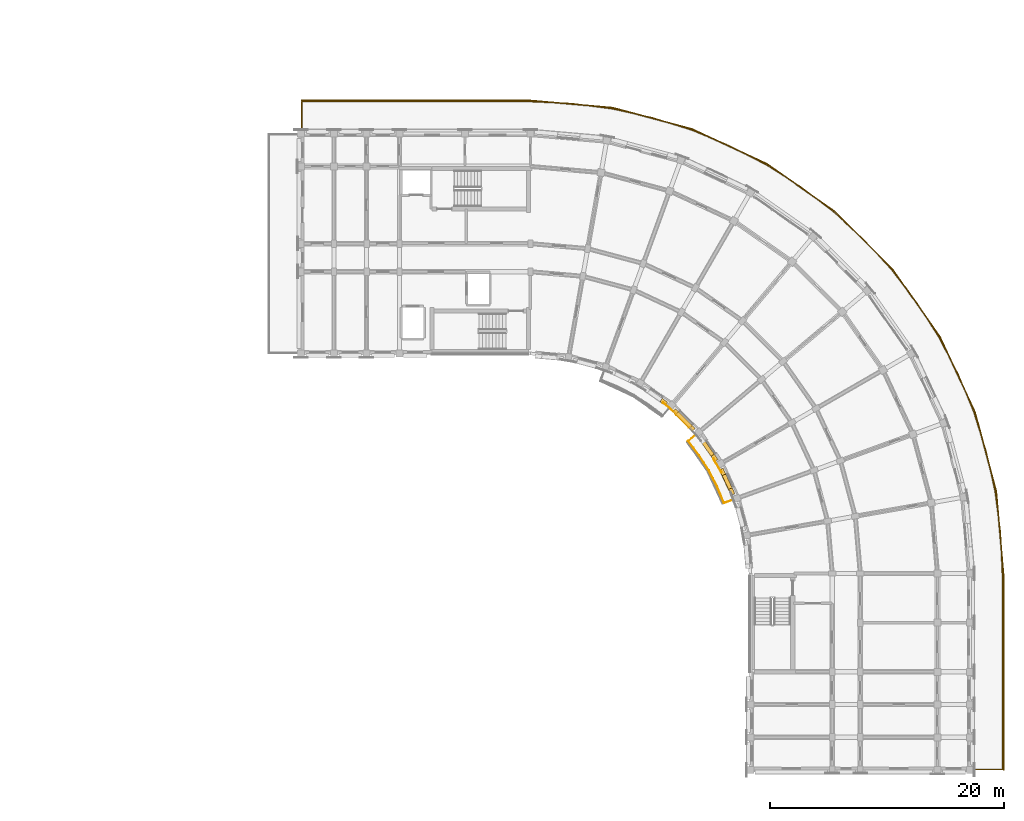
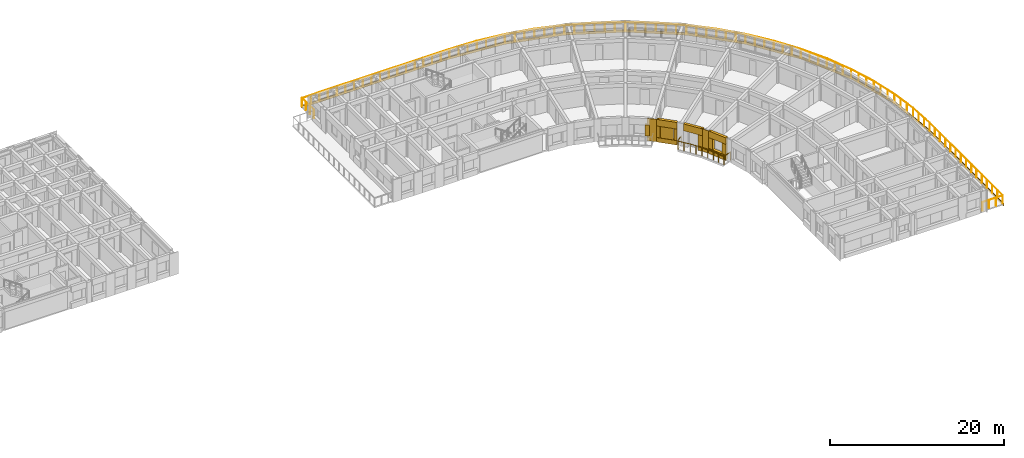
# One storey, part 35 of 36: 14 coverings, 2 railings, 1 shading device.
"""IFC4 building model written with IfcOpenShell, lengths in metres."""

from ifc_helpers import new_model, si_unit, direction, frame, origin, origin_2d, place, context, subcontext, project, spatial, polyline, rectangle, circle, outline, extrude, material, layer, layer_set, type_object, element, save


model = new_model("IFC4")

# Units and contexts
model_context = context("Model", 3, precision=1e-05, world=origin(), true_north=direction((0.0, 1.0)))
body_context = subcontext(model_context, "Body", "Model", "MODEL_VIEW")
ifc_project = project(units=[si_unit("LENGTHUNIT", "METRE"), si_unit("AREAUNIT", "SQUARE_METRE"), si_unit("VOLUMEUNIT", "CUBIC_METRE"), si_unit("PLANEANGLEUNIT", "RADIAN"), si_unit("MASSUNIT", "GRAM", prefix="KILO")], contexts=[model_context])

# Site, building, storey
site_placement = place(None, origin())
site = spatial("IfcSite", under=ifc_project, at=site_placement, CompositionType="ELEMENT")
building_placement = place(site_placement, origin())
building = spatial("IfcBuilding", under=site, at=building_placement, Name="Kiranvali Square Residences", CompositionType="ELEMENT")
storey_placement = place(building_placement, frame((0.0, 0.0, 37.050048828125)))
storey = spatial("IfcBuildingStorey", under=building, at=storey_placement, Name="L11", CompositionType="ELEMENT", Elevation=37.050048828125)

# Coverings
ifc_material_1 = material(Name="Carved Porbandar limestone classical entablature and cornice", Category="masonry")
ifc_layer_1 = layer(ifc_material_1, 0.449951171875)
ifc_layer_set_1 = layer_set([ifc_layer_1], Name="Carved Porbandar limestone classical entablature and cornice")
covering_type_1 = type_object("IfcCoveringType", Name="COV-CLAD-CORN", PredefinedType="CLADDING", material=ifc_layer_set_1)
covering_1_placement = place(storey_placement, frame((0.0, 0.0, -0.280029296875)))
element("IfcCovering", 1, at=covering_1_placement, inside=storey, type_object=covering_type_1, Name="Block B L11 stepped curved terrace stone cornice band", PredefinedType="CLADDING", context=body_context, shape_type="SweptSolid", body=[
    extrude(outline(polyline([(100.199951171875, 128.201904296875), (119.800048828125, 128.201904296875), (126.815673828125, 127.588134765625), (133.618408203125, 125.765380859375), (140.0009765625, 122.7890625), (145.77001953125, 118.749755859375), (150.749755859375, 113.77001953125), (154.7890625, 108.0009765625), (157.765380859375, 101.618408203125), (159.588134765625, 94.815673828125), (160.201904296875, 87.800048828125), (160.201904296875, 71.0), (160.284912109375, 71.0), (160.284912109375, 87.800048828125), (159.669921875, 94.830078125), (157.843505859375, 101.646728515625), (154.861083984375, 108.04248046875), (150.813232421875, 113.8232421875), (145.8232421875, 118.813232421875), (140.04248046875, 122.861083984375), (133.646728515625, 125.843505859375), (126.830078125, 127.669921875), (119.800048828125, 128.284912109375), (100.199951171875, 128.284912109375), (100.199951171875, 128.201904296875)])), origin(), (0.0, 0.0, 1.0), 0.35986328125),
])
ifc_material_2 = material(Name="Honed Porbandar limestone ashlar facade cladding", Category="masonry")
ifc_layer_2 = layer(ifc_material_2, 0.3798828125)
ifc_layer_set_2 = layer_set([ifc_layer_2], Name="Honed Porbandar limestone ashlar facade cladding")
covering_type_2 = type_object("IfcCoveringType", Name="COV-CLAD-JAMB", PredefinedType="CLADDING", material=ifc_layer_set_2)
covering_2_placement = place(storey_placement, frame((0.0, 0.0, 0.721923828125)))
element("IfcCovering", 2, at=covering_2_placement, inside=storey, type_object=covering_type_2, Name="L11 deep limestone window jamb reveal B-L11-GDN-03.R", PredefinedType="CLADDING", context=body_context, shape_type="SweptSolid", body=[
    extrude(outline(polyline([(130.879638671875, 102.490234375), (131.328857421875, 102.175537109375), (131.523681640625, 102.45361328125), (131.074462890625, 102.768310546875), (130.879638671875, 102.490234375)])), origin(), (0.0, 0.0, 1.0), 1.5),
])
covering_3_placement = place(storey_placement, frame((0.0, 0.0, 0.6220703125)))
element("IfcCovering", 3, at=covering_3_placement, inside=storey, type_object=covering_type_2, Name="L11 deep limestone window jamb reveal B-L11-GDN-04.L", PredefinedType="CLADDING", context=body_context, shape_type="SweptSolid", body=[
    extrude(outline(polyline([(131.955078125, 101.650146484375), (132.21923828125, 101.385986328125), (132.459228515625, 101.6259765625), (132.195068359375, 101.89013671875), (131.955078125, 101.650146484375)])), origin(), (0.0, 0.0, 1.0), 1.599853515625),
])
covering_4_placement = place(storey_placement, frame((0.0, 0.0, 0.6220703125)))
element("IfcCovering", 4, at=covering_4_placement, inside=storey, type_object=covering_type_2, Name="L11 deep limestone window jamb reveal B-L11-GDN-04.R", PredefinedType="CLADDING", context=body_context, shape_type="SweptSolid", body=[
    extrude(outline(polyline([(133.385986328125, 100.21923828125), (133.650146484375, 99.955078125), (133.89013671875, 100.195068359375), (133.6259765625, 100.459228515625), (133.385986328125, 100.21923828125)])), origin(), (0.0, 0.0, 1.0), 1.599853515625),
])
covering_5_placement = place(storey_placement, origin())
element("IfcCovering", 5, at=covering_5_placement, inside=storey, type_object=covering_type_2, Name="L11 deep limestone window jamb reveal B-L11-GDN-05.R", PredefinedType="CLADDING", context=body_context, shape_type="SweptSolid", body=[
    extrude(outline(polyline([(135.23583984375, 97.814697265625), (135.55029296875, 97.365478515625), (135.828369140625, 97.56005859375), (135.513916015625, 98.009521484375), (135.23583984375, 97.814697265625)])), origin(), (0.0, 0.0, 1.0), 2.179931640625),
])
covering_6_placement = place(storey_placement, frame((0.0, 0.0, 0.721923828125)))
element("IfcCovering", 6, at=covering_6_placement, inside=storey, type_object=covering_type_2, Name="L11 deep limestone window jamb reveal B-L11-GDN-06.L", PredefinedType="CLADDING", context=body_context, shape_type="SweptSolid", body=[
    extrude(outline(polyline([(135.958984375, 96.657470703125), (136.19091796875, 96.160400390625), (136.49853515625, 96.303955078125), (136.266845703125, 96.801025390625), (135.958984375, 96.657470703125)])), origin(), (0.0, 0.0, 1.0), 1.5),
])
covering_7_placement = place(storey_placement, frame((0.0, 0.0, 0.721923828125)))
element("IfcCovering", 7, at=covering_7_placement, inside=storey, type_object=covering_type_2, Name="L11 deep limestone window jamb reveal B-L11-GDN-06.R", PredefinedType="CLADDING", context=body_context, shape_type="SweptSolid", body=[
    extrude(outline(polyline([(136.740234375, 94.982177734375), (136.97216796875, 94.485107421875), (137.27978515625, 94.62841796875), (137.048095703125, 95.125732421875), (136.740234375, 94.982177734375)])), origin(), (0.0, 0.0, 1.0), 1.5),
])
ifc_layer_3 = layer(ifc_material_2, 0.050048828125)
ifc_layer_set_3 = layer_set([ifc_layer_3], Name="Honed Porbandar limestone ashlar facade cladding")
covering_type_3 = type_object("IfcCoveringType", Name="COV-CLAD-PIER-IN", PredefinedType="CLADDING", material=ifc_layer_set_3)
covering_8_placement = place(storey_placement, frame((0.0, 0.0, 0.0048828125)))
element("IfcCovering", 8, at=covering_8_placement, inside=storey, type_object=covering_type_3, Name="L11 Classical garden courtyard pilaster CLAD-PRIN-B-L11-A04", PredefinedType="CLADDING", context=body_context, shape_type="SweptSolid", body=[
    extrude(outline(polyline([(131.111572265625, 102.36962890625), (132.18408203125, 101.4697265625), (132.2275390625, 101.521484375), (131.155029296875, 102.42138671875), (131.111572265625, 102.36962890625)])), origin(), (0.0, 0.0, 1.0), 3.14013671875),
])
covering_9_placement = place(storey_placement, frame((0.0, 0.0, 0.0048828125)))
element("IfcCovering", 9, at=covering_9_placement, inside=storey, type_object=covering_type_3, Name="L11 Classical garden courtyard pilaster CLAD-PRIN-B-L11-A06", PredefinedType="CLADDING", context=body_context, shape_type="SweptSolid", body=[
    extrude(outline(polyline([(135.41259765625, 97.622314453125), (136.112548828125, 96.40966796875), (136.171142578125, 96.443603515625), (135.470947265625, 97.656005859375), (135.41259765625, 97.622314453125)])), origin(), (0.0, 0.0, 1.0), 3.14013671875),
])
ifc_layer_4 = layer(ifc_material_2, 0.360107421875)
ifc_layer_set_4 = layer_set([ifc_layer_4], Name="Honed Porbandar limestone ashlar facade cladding")
covering_type_4 = type_object("IfcCoveringType", Name="COV-CLAD-WALL", PredefinedType="CLADDING", material=ifc_layer_set_4)
covering_10_placement = place(storey_placement, frame((0.0, 0.0, 2.221923828125)))
element("IfcCovering", 10, at=covering_10_placement, inside=storey, type_object=covering_type_4, Name="L11 light limestone spandrel lintel B-L11-GDN-04", PredefinedType="CLADDING", context=body_context, shape_type="SweptSolid", body=[
    extrude(outline(polyline([(131.955078125, 101.650146484375), (133.650146484375, 99.955078125), (133.89013671875, 100.195068359375), (132.195068359375, 101.89013671875), (131.955078125, 101.650146484375)])), origin(), (0.0, 0.0, 1.0), 0.923095703125),
])
covering_11_placement = place(storey_placement, frame((0.0, 0.0, 2.179931640625)))
element("IfcCovering", 11, at=covering_11_placement, inside=storey, type_object=covering_type_4, Name="L11 light limestone spandrel lintel B-L11-GDN-05", PredefinedType="CLADDING", context=body_context, shape_type="SweptSolid", body=[
    extrude(outline(polyline([(134.175537109375, 99.328857421875), (135.55029296875, 97.365478515625), (135.828369140625, 97.56005859375), (134.45361328125, 99.523681640625), (134.175537109375, 99.328857421875)])), origin(), (0.0, 0.0, 1.0), 0.965087890625),
])
covering_12_placement = place(storey_placement, frame((0.0, 0.0, 2.221923828125)))
element("IfcCovering", 12, at=covering_12_placement, inside=storey, type_object=covering_type_4, Name="L11 light limestone spandrel lintel B-L11-GDN-06", PredefinedType="CLADDING", context=body_context, shape_type="SweptSolid", body=[
    extrude(outline(polyline([(135.958984375, 96.657470703125), (136.97216796875, 94.485107421875), (137.27978515625, 94.62841796875), (136.266845703125, 96.801025390625), (135.958984375, 96.657470703125)])), origin(), (0.0, 0.0, 1.0), 0.923095703125),
])
ifc_layer_5 = layer(ifc_material_2, 0.320068359375)
ifc_layer_set_5 = layer_set([ifc_layer_5], Name="Honed Porbandar limestone ashlar facade cladding")
covering_type_5 = type_object("IfcCoveringType", Name="COV-CLAD-WALL-UP", PredefinedType="CLADDING", material=ifc_layer_set_5)
covering_13_placement = place(storey_placement, frame((0.0, 0.0, 0.0048828125)))
element("IfcCovering", 13, at=covering_13_placement, inside=storey, type_object=covering_type_5, Name="L11 limestone window sill apron B-L11-GDN-04", PredefinedType="CLADDING", context=body_context, shape_type="SweptSolid", body=[
    extrude(outline(polyline([(131.933837890625, 101.62890625), (133.62890625, 99.933837890625), (133.89013671875, 100.195068359375), (132.195068359375, 101.89013671875), (131.933837890625, 101.62890625)])), origin(), (0.0, 0.0, 1.0), 0.6171875),
])
covering_14_placement = place(storey_placement, frame((0.0, 0.0, 0.0048828125)))
element("IfcCovering", 14, at=covering_14_placement, inside=storey, type_object=covering_type_5, Name="L11 limestone window sill apron B-L11-GDN-06", PredefinedType="CLADDING", context=body_context, shape_type="SweptSolid", body=[
    extrude(outline(polyline([(135.931884765625, 96.644775390625), (136.94482421875, 94.472412109375), (137.27978515625, 94.62841796875), (136.266845703125, 96.801025390625), (135.931884765625, 96.644775390625)])), origin(), (0.0, 0.0, 1.0), 0.717041015625),
])

# Railings
ifc_material_3 = material(Name="Powder-coated architectural bronze balustrade", Category="steel")
railing_type_1 = type_object("IfcRailingType", Name="RL-BAL-GOLD-1200", PredefinedType="BALUSTRADE", material=ifc_material_3)
railing_1_placement = place(storey_placement, frame((134.1708984375, 99.858642578125, 0.0)))
element("IfcRailing", 15, at=railing_1_placement, inside=storey, type_object=railing_type_1, Name="Block B L11 garden balcony gold balustrade 2", PredefinedType="BALUSTRADE", context=body_context, shape_type="SweptSolid", body=[
    extrude(circle(Radius=0.02392578125, at=origin_2d()), frame((0.0, 0.0, 1.17578125), z_axis=(-0.765989188314, -0.642853454051, 0.0), x_axis=(0.642853454051, -0.765989188314, 0.0)), (0.0, 0.0, 1.0), 1.14990234375),
    extrude(circle(Radius=0.02392578125, at=origin_2d()), frame((-0.880859375, -0.7392578125, 1.17578125), z_axis=(0.608811807471, -0.793314680996, 0.0), x_axis=(0.793314680996, 0.608811807471, 0.0)), (0.0, 0.0, 1.0), 1.536376953125),
    extrude(circle(Radius=0.02392578125, at=origin_2d()), frame((0.054443359375, -1.9580078125, 1.17578125), z_axis=(0.537307309343, -0.843386539688, 0.0), x_axis=(0.843386539688, 0.537307309343, 0.0)), (0.0, 0.0, 1.0), 1.5361328125),
    extrude(circle(Radius=0.02392578125, at=origin_2d()), frame((0.8798828125, -3.253662109375, 1.17578125), z_axis=(0.461713009976, -0.887029366154, 0.0), x_axis=(0.887029366154, 0.461713009976, 0.0)), (0.0, 0.0, 1.0), 1.5361328125),
    extrude(circle(Radius=0.02392578125, at=origin_2d()), frame((1.589111328125, -4.6162109375, 1.17578125), z_axis=(0.382651197843, -0.923892883829, 0.0), x_axis=(0.923892883829, 0.382651197843, 0.0)), (0.0, 0.0, 1.0), 1.536376953125),
    extrude(circle(Radius=0.02392578125, at=origin_2d()), frame((2.177001953125, -6.03564453125, 1.17578125), z_axis=(0.939712828289, 0.341964618562, 0.0), x_axis=(-0.341964618562, 0.939712828289, 0.0)), (0.0, 0.0, 1.0), 1.150146484375),
    extrude(circle(Radius=0.02099609375, at=origin_2d()), origin(), (0.0, 0.0, 1.0), 1.15185546875),
    extrude(circle(Radius=0.02099609375, at=origin_2d()), frame((-0.880859375, -0.7392578125, 0.0)), (0.0, 0.0, 1.0), 1.15185546875),
    extrude(circle(Radius=0.02099609375, at=origin_2d()), frame((-0.4130859375, -1.3486328125, 0.0)), (0.0, 0.0, 1.0), 1.15185546875),
    extrude(circle(Radius=0.02099609375, at=origin_2d()), frame((0.054443359375, -1.9580078125, 0.0)), (0.0, 0.0, 1.0), 1.15185546875),
    extrude(circle(Radius=0.02099609375, at=origin_2d()), frame((0.46728515625, -2.60595703125, 0.0)), (0.0, 0.0, 1.0), 1.15185546875),
    extrude(circle(Radius=0.02099609375, at=origin_2d()), frame((0.8798828125, -3.253662109375, 0.0)), (0.0, 0.0, 1.0), 1.15185546875),
    extrude(circle(Radius=0.02099609375, at=origin_2d()), frame((1.234375, -3.93505859375, 0.0)), (0.0, 0.0, 1.0), 1.15185546875),
    extrude(circle(Radius=0.02099609375, at=origin_2d()), frame((1.589111328125, -4.6162109375, 0.0)), (0.0, 0.0, 1.0), 1.15185546875),
    extrude(circle(Radius=0.02099609375, at=origin_2d()), frame((1.883056640625, -5.325927734375, 0.0)), (0.0, 0.0, 1.0), 1.15185546875),
    extrude(circle(Radius=0.02099609375, at=origin_2d()), frame((2.177001953125, -6.03564453125, 0.0)), (0.0, 0.0, 1.0), 1.15185546875),
    extrude(circle(Radius=0.02099609375, at=origin_2d()), frame((3.2578125, -5.642333984375, 0.0)), (0.0, 0.0, 1.0), 1.15185546875),
])
railing_type_2 = type_object("IfcRailingType", Name="RL-TER-GOLD-1200", PredefinedType="BALUSTRADE", material=ifc_material_3)
railing_2_placement = place(storey_placement, frame((100.25, 125.43994140625, 0.0)))
element("IfcRailing", 16, at=railing_2_placement, inside=storey, type_object=railing_type_2, Name="Block B L11 stepped curved corner terrace gold balustrade", PredefinedType="BALUSTRADE", context=body_context, shape_type="SweptSolid", body=[
    extrude(circle(Radius=0.02392578125, at=origin_2d()), frame((0.0, 0.0, 1.17578125), z_axis=(0.0, 1.0, 0.0), x_axis=(-1.0, 0.0, 0.0)), (0.0, 0.0, 1.0), 2.699951171875),
    extrude(circle(Radius=0.02392578125, at=origin_2d()), frame((0.0, 2.699951171875, 1.17578125), z_axis=(1.0, 0.0, 0.0), x_axis=(0.0, 1.0, 0.0)), (0.0, 0.0, 1.0), 19.550048828125),
    extrude(circle(Radius=0.02392578125, at=origin_2d()), frame((19.550048828125, 2.699951171875, 1.17578125), z_axis=(0.999050521536, -0.043566677837, 0.0), x_axis=(0.043566677837, 0.999050521536, 0.0)), (0.0, 0.0, 1.0), 3.519287109375),
    extrude(circle(Radius=0.02392578125, at=origin_2d()), frame((23.06591796875, 2.546630859375, 1.17578125), z_axis=(0.991439885542, -0.130563981848, 0.0), x_axis=(0.130563981848, 0.991439885542, 0.0)), (0.0, 0.0, 1.0), 3.51904296875),
    extrude(circle(Radius=0.02392578125, at=origin_2d()), frame((26.554931640625, 2.087158203125, 1.17578125), z_axis=(0.976294672922, -0.216445632027, 0.0), x_axis=(0.216445632027, 0.976294672922, 0.0)), (0.0, 0.0, 1.0), 3.519287109375),
    extrude(circle(Radius=0.02392578125, at=origin_2d()), frame((29.99072265625, 1.325439453125, 1.17578125), z_axis=(0.95373142835, -0.300659878562, 0.0), x_axis=(0.300659878562, 0.95373142835, 0.0)), (0.0, 0.0, 1.0), 3.519287109375),
    extrude(circle(Radius=0.02392578125, at=origin_2d()), frame((33.34716796875, 0.267333984375, 1.17578125), z_axis=(0.923857014911, -0.382737790138, 0.0), x_axis=(0.382737790138, 0.923857014911, 0.0)), (0.0, 0.0, 1.0), 3.519287109375),
    extrude(circle(Radius=0.02392578125, at=origin_2d()), frame((36.598388671875, -1.07958984375, 1.17578125), z_axis=(0.887009989526, -0.461750233872, 0.0), x_axis=(0.461750233872, 0.887009989526, 0.0)), (0.0, 0.0, 1.0), 3.519287109375),
    extrude(circle(Radius=0.02392578125, at=origin_2d()), frame((39.719970703125, -2.70458984375, 1.17578125), z_axis=(0.843387143915, -0.537306360913, 0.0), x_axis=(0.537306360913, 0.843387143915, 0.0)), (0.0, 0.0, 1.0), 3.51904296875),
    extrude(circle(Radius=0.02392578125, at=origin_2d()), frame((42.68798828125, -4.595458984375, 1.17578125), z_axis=(0.793358414071, -0.608754816673, 0.0), x_axis=(0.608754816673, 0.793358414071, 0.0)), (0.0, 0.0, 1.0), 3.519287109375),
    extrude(circle(Radius=0.02392578125, at=origin_2d()), frame((45.47998046875, -6.73779296875, 1.17578125), z_axis=(0.737303864614, -0.675561256456, 0.0), x_axis=(0.675561256456, 0.737303864614, 0.0)), (0.0, 0.0, 1.0), 3.519287109375),
    extrude(circle(Radius=0.02392578125, at=origin_2d()), frame((48.07470703125, -9.115234375, 1.17578125), z_axis=(0.675561256456, -0.737303864614, 0.0), x_axis=(0.737303864614, 0.675561256456, 0.0)), (0.0, 0.0, 1.0), 3.519287109375),
    extrude(circle(Radius=0.02392578125, at=origin_2d()), frame((50.4521484375, -11.7099609375, 1.17578125), z_axis=(0.608754816673, -0.793358414071, 0.0), x_axis=(0.793358414071, 0.608754816673, 0.0)), (0.0, 0.0, 1.0), 3.519287109375),
    extrude(circle(Radius=0.02392578125, at=origin_2d()), frame((52.594482421875, -14.501953125, 1.17578125), z_axis=(0.537306360913, -0.843387143915, 0.0), x_axis=(0.843387143915, 0.537306360913, 0.0)), (0.0, 0.0, 1.0), 3.51904296875),
    extrude(circle(Radius=0.02392578125, at=origin_2d()), frame((54.4853515625, -17.469970703125, 1.17578125), z_axis=(0.461750233872, -0.887009989526, 0.0), x_axis=(0.887009989526, 0.461750233872, 0.0)), (0.0, 0.0, 1.0), 3.519287109375),
    extrude(circle(Radius=0.02392578125, at=origin_2d()), frame((56.1103515625, -20.591552734375, 1.17578125), z_axis=(0.382737790138, -0.923857014911, 0.0), x_axis=(0.923857014911, 0.382737790138, 0.0)), (0.0, 0.0, 1.0), 3.519287109375),
    extrude(circle(Radius=0.02392578125, at=origin_2d()), frame((57.457275390625, -23.8427734375, 1.17578125), z_axis=(0.300659878562, -0.95373142835, 0.0), x_axis=(0.95373142835, 0.300659878562, 0.0)), (0.0, 0.0, 1.0), 3.519287109375),
    extrude(circle(Radius=0.02392578125, at=origin_2d()), frame((58.515380859375, -27.19921875, 1.17578125), z_axis=(0.216445632027, -0.976294672922, 0.0), x_axis=(0.976294672922, 0.216445632027, 0.0)), (0.0, 0.0, 1.0), 3.519287109375),
    extrude(circle(Radius=0.02392578125, at=origin_2d()), frame((59.277099609375, -30.635009765625, 1.17578125), z_axis=(0.130563981848, -0.991439885542, 0.0), x_axis=(0.991439885542, 0.130563981848, 0.0)), (0.0, 0.0, 1.0), 3.51904296875),
    extrude(circle(Radius=0.02392578125, at=origin_2d()), frame((59.736572265625, -34.1240234375, 1.17578125), z_axis=(0.043566677837, -0.999050521536, 0.0), x_axis=(0.999050521536, 0.043566677837, 0.0)), (0.0, 0.0, 1.0), 3.519287109375),
    extrude(circle(Radius=0.02392578125, at=origin_2d()), frame((59.889892578125, -37.639892578125, 1.17578125), z_axis=(0.0, -1.0, 0.0), x_axis=(1.0, 0.0, 0.0)), (0.0, 0.0, 1.0), 16.75),
    extrude(circle(Radius=0.02392578125, at=origin_2d()), frame((59.889892578125, -54.389892578125, 1.17578125), z_axis=(-1.0, 0.0, 0.0), x_axis=(0.0, -1.0, 0.0)), (0.0, 0.0, 1.0), 2.699951171875),
    extrude(circle(Radius=0.02099609375, at=origin_2d()), origin(), (0.0, 0.0, 1.0), 1.15185546875),
    extrude(circle(Radius=0.02099609375, at=origin_2d()), frame((0.0, 0.89990234375, 0.0)), (0.0, 0.0, 1.0), 1.15185546875),
    extrude(circle(Radius=0.02099609375, at=origin_2d()), frame((0.0, 1.800048828125, 0.0)), (0.0, 0.0, 1.0), 1.15185546875),
    extrude(circle(Radius=0.02099609375, at=origin_2d()), frame((0.0, 2.699951171875, 0.0)), (0.0, 0.0, 1.0), 1.15185546875),
    extrude(circle(Radius=0.02099609375, at=origin_2d()), frame((1.14990234375, 2.699951171875, 0.0)), (0.0, 0.0, 1.0), 1.15185546875),
    extrude(circle(Radius=0.02099609375, at=origin_2d()), frame((2.300048828125, 2.699951171875, 0.0)), (0.0, 0.0, 1.0), 1.15185546875),
    extrude(circle(Radius=0.02099609375, at=origin_2d()), frame((3.449951171875, 2.699951171875, 0.0)), (0.0, 0.0, 1.0), 1.15185546875),
    extrude(circle(Radius=0.02099609375, at=origin_2d()), frame((4.60009765625, 2.699951171875, 0.0)), (0.0, 0.0, 1.0), 1.15185546875),
    extrude(circle(Radius=0.02099609375, at=origin_2d()), frame((5.75, 2.699951171875, 0.0)), (0.0, 0.0, 1.0), 1.15185546875),
    extrude(circle(Radius=0.02099609375, at=origin_2d()), frame((6.89990234375, 2.699951171875, 0.0)), (0.0, 0.0, 1.0), 1.15185546875),
    extrude(circle(Radius=0.02099609375, at=origin_2d()), frame((8.050048828125, 2.699951171875, 0.0)), (0.0, 0.0, 1.0), 1.15185546875),
    extrude(circle(Radius=0.02099609375, at=origin_2d()), frame((9.199951171875, 2.699951171875, 0.0)), (0.0, 0.0, 1.0), 1.15185546875),
    extrude(circle(Radius=0.02099609375, at=origin_2d()), frame((10.35009765625, 2.699951171875, 0.0)), (0.0, 0.0, 1.0), 1.15185546875),
    extrude(circle(Radius=0.02099609375, at=origin_2d()), frame((11.5, 2.699951171875, 0.0)), (0.0, 0.0, 1.0), 1.15185546875),
    extrude(circle(Radius=0.02099609375, at=origin_2d()), frame((12.650146484375, 2.699951171875, 0.0)), (0.0, 0.0, 1.0), 1.15185546875),
    extrude(circle(Radius=0.02099609375, at=origin_2d()), frame((13.800048828125, 2.699951171875, 0.0)), (0.0, 0.0, 1.0), 1.15185546875),
    extrude(circle(Radius=0.02099609375, at=origin_2d()), frame((14.949951171875, 2.699951171875, 0.0)), (0.0, 0.0, 1.0), 1.15185546875),
    extrude(circle(Radius=0.02099609375, at=origin_2d()), frame((16.10009765625, 2.699951171875, 0.0)), (0.0, 0.0, 1.0), 1.15185546875),
    extrude(circle(Radius=0.02099609375, at=origin_2d()), frame((17.25, 2.699951171875, 0.0)), (0.0, 0.0, 1.0), 1.15185546875),
    extrude(circle(Radius=0.02099609375, at=origin_2d()), frame((18.400146484375, 2.699951171875, 0.0)), (0.0, 0.0, 1.0), 1.15185546875),
    extrude(circle(Radius=0.02099609375, at=origin_2d()), frame((19.550048828125, 2.699951171875, 0.0)), (0.0, 0.0, 1.0), 1.15185546875),
    extrude(circle(Radius=0.02099609375, at=origin_2d()), frame((20.721923828125, 2.64892578125, 0.0)), (0.0, 0.0, 1.0), 1.15185546875),
    extrude(circle(Radius=0.02099609375, at=origin_2d()), frame((21.89404296875, 2.59765625, 0.0)), (0.0, 0.0, 1.0), 1.15185546875),
    extrude(circle(Radius=0.02099609375, at=origin_2d()), frame((23.06591796875, 2.546630859375, 0.0)), (0.0, 0.0, 1.0), 1.15185546875),
    extrude(circle(Radius=0.02099609375, at=origin_2d()), frame((24.22900390625, 2.3935546875, 0.0)), (0.0, 0.0, 1.0), 1.15185546875),
    extrude(circle(Radius=0.02099609375, at=origin_2d()), frame((25.391845703125, 2.240234375, 0.0)), (0.0, 0.0, 1.0), 1.15185546875),
    extrude(circle(Radius=0.02099609375, at=origin_2d()), frame((26.554931640625, 2.087158203125, 0.0)), (0.0, 0.0, 1.0), 1.15185546875),
    extrude(circle(Radius=0.02099609375, at=origin_2d()), frame((27.7001953125, 1.833251953125, 0.0)), (0.0, 0.0, 1.0), 1.15185546875),
    extrude(circle(Radius=0.02099609375, at=origin_2d()), frame((28.845458984375, 1.579345703125, 0.0)), (0.0, 0.0, 1.0), 1.15185546875),
    extrude(circle(Radius=0.02099609375, at=origin_2d()), frame((29.99072265625, 1.325439453125, 0.0)), (0.0, 0.0, 1.0), 1.15185546875),
    extrude(circle(Radius=0.02099609375, at=origin_2d()), frame((31.109619140625, 0.97265625, 0.0)), (0.0, 0.0, 1.0), 1.15185546875),
    extrude(circle(Radius=0.02099609375, at=origin_2d()), frame((32.228271484375, 0.6201171875, 0.0)), (0.0, 0.0, 1.0), 1.15185546875),
    extrude(circle(Radius=0.02099609375, at=origin_2d()), frame((33.34716796875, 0.267333984375, 0.0)), (0.0, 0.0, 1.0), 1.15185546875),
    extrude(circle(Radius=0.02099609375, at=origin_2d()), frame((34.430908203125, -0.181640625, 0.0)), (0.0, 0.0, 1.0), 1.15185546875),
    extrude(circle(Radius=0.02099609375, at=origin_2d()), frame((35.5146484375, -0.630615234375, 0.0)), (0.0, 0.0, 1.0), 1.15185546875),
    extrude(circle(Radius=0.02099609375, at=origin_2d()), frame((36.598388671875, -1.07958984375, 0.0)), (0.0, 0.0, 1.0), 1.15185546875),
    extrude(circle(Radius=0.02099609375, at=origin_2d()), frame((37.638916015625, -1.621337890625, 0.0)), (0.0, 0.0, 1.0), 1.15185546875),
    extrude(circle(Radius=0.02099609375, at=origin_2d()), frame((38.679443359375, -2.162841796875, 0.0)), (0.0, 0.0, 1.0), 1.15185546875),
    extrude(circle(Radius=0.02099609375, at=origin_2d()), frame((39.719970703125, -2.70458984375, 0.0)), (0.0, 0.0, 1.0), 1.15185546875),
    extrude(circle(Radius=0.02099609375, at=origin_2d()), frame((40.709228515625, -3.3349609375, 0.0)), (0.0, 0.0, 1.0), 1.15185546875),
    extrude(circle(Radius=0.02099609375, at=origin_2d()), frame((41.69873046875, -3.965087890625, 0.0)), (0.0, 0.0, 1.0), 1.15185546875),
    extrude(circle(Radius=0.02099609375, at=origin_2d()), frame((42.68798828125, -4.595458984375, 0.0)), (0.0, 0.0, 1.0), 1.15185546875),
    extrude(circle(Radius=0.02099609375, at=origin_2d()), frame((43.61865234375, -5.3095703125, 0.0)), (0.0, 0.0, 1.0), 1.15185546875),
    extrude(circle(Radius=0.02099609375, at=origin_2d()), frame((44.54931640625, -6.023681640625, 0.0)), (0.0, 0.0, 1.0), 1.15185546875),
    extrude(circle(Radius=0.02099609375, at=origin_2d()), frame((45.47998046875, -6.73779296875, 0.0)), (0.0, 0.0, 1.0), 1.15185546875),
    extrude(circle(Radius=0.02099609375, at=origin_2d()), frame((46.344970703125, -7.5302734375, 0.0)), (0.0, 0.0, 1.0), 1.15185546875),
    extrude(circle(Radius=0.02099609375, at=origin_2d()), frame((47.209716796875, -8.32275390625, 0.0)), (0.0, 0.0, 1.0), 1.15185546875),
    extrude(circle(Radius=0.02099609375, at=origin_2d()), frame((48.07470703125, -9.115234375, 0.0)), (0.0, 0.0, 1.0), 1.15185546875),
    extrude(circle(Radius=0.02099609375, at=origin_2d()), frame((48.8671875, -9.980224609375, 0.0)), (0.0, 0.0, 1.0), 1.15185546875),
    extrude(circle(Radius=0.02099609375, at=origin_2d()), frame((49.65966796875, -10.844970703125, 0.0)), (0.0, 0.0, 1.0), 1.15185546875),
    extrude(circle(Radius=0.02099609375, at=origin_2d()), frame((50.4521484375, -11.7099609375, 0.0)), (0.0, 0.0, 1.0), 1.15185546875),
    extrude(circle(Radius=0.02099609375, at=origin_2d()), frame((51.166259765625, -12.640625, 0.0)), (0.0, 0.0, 1.0), 1.15185546875),
    extrude(circle(Radius=0.02099609375, at=origin_2d()), frame((51.88037109375, -13.5712890625, 0.0)), (0.0, 0.0, 1.0), 1.15185546875),
    extrude(circle(Radius=0.02099609375, at=origin_2d()), frame((52.594482421875, -14.501953125, 0.0)), (0.0, 0.0, 1.0), 1.15185546875),
    extrude(circle(Radius=0.02099609375, at=origin_2d()), frame((53.224853515625, -15.4912109375, 0.0)), (0.0, 0.0, 1.0), 1.15185546875),
    extrude(circle(Radius=0.02099609375, at=origin_2d()), frame((53.85498046875, -16.480712890625, 0.0)), (0.0, 0.0, 1.0), 1.15185546875),
    extrude(circle(Radius=0.02099609375, at=origin_2d()), frame((54.4853515625, -17.469970703125, 0.0)), (0.0, 0.0, 1.0), 1.15185546875),
    extrude(circle(Radius=0.02099609375, at=origin_2d()), frame((55.027099609375, -18.510498046875, 0.0)), (0.0, 0.0, 1.0), 1.15185546875),
    extrude(circle(Radius=0.02099609375, at=origin_2d()), frame((55.568603515625, -19.551025390625, 0.0)), (0.0, 0.0, 1.0), 1.15185546875),
    extrude(circle(Radius=0.02099609375, at=origin_2d()), frame((56.1103515625, -20.591552734375, 0.0)), (0.0, 0.0, 1.0), 1.15185546875),
    extrude(circle(Radius=0.02099609375, at=origin_2d()), frame((56.559326171875, -21.67529296875, 0.0)), (0.0, 0.0, 1.0), 1.15185546875),
    extrude(circle(Radius=0.02099609375, at=origin_2d()), frame((57.00830078125, -22.759033203125, 0.0)), (0.0, 0.0, 1.0), 1.15185546875),
    extrude(circle(Radius=0.02099609375, at=origin_2d()), frame((57.457275390625, -23.8427734375, 0.0)), (0.0, 0.0, 1.0), 1.15185546875),
    extrude(circle(Radius=0.02099609375, at=origin_2d()), frame((57.81005859375, -24.961669921875, 0.0)), (0.0, 0.0, 1.0), 1.15185546875),
    extrude(circle(Radius=0.02099609375, at=origin_2d()), frame((58.16259765625, -26.080322265625, 0.0)), (0.0, 0.0, 1.0), 1.15185546875),
    extrude(circle(Radius=0.02099609375, at=origin_2d()), frame((58.515380859375, -27.19921875, 0.0)), (0.0, 0.0, 1.0), 1.15185546875),
    extrude(circle(Radius=0.02099609375, at=origin_2d()), frame((58.769287109375, -28.344482421875, 0.0)), (0.0, 0.0, 1.0), 1.15185546875),
    extrude(circle(Radius=0.02099609375, at=origin_2d()), frame((59.023193359375, -29.48974609375, 0.0)), (0.0, 0.0, 1.0), 1.15185546875),
    extrude(circle(Radius=0.02099609375, at=origin_2d()), frame((59.277099609375, -30.635009765625, 0.0)), (0.0, 0.0, 1.0), 1.15185546875),
    extrude(circle(Radius=0.02099609375, at=origin_2d()), frame((59.43017578125, -31.798095703125, 0.0)), (0.0, 0.0, 1.0), 1.15185546875),
    extrude(circle(Radius=0.02099609375, at=origin_2d()), frame((59.58349609375, -32.9609375, 0.0)), (0.0, 0.0, 1.0), 1.15185546875),
    extrude(circle(Radius=0.02099609375, at=origin_2d()), frame((59.736572265625, -34.1240234375, 0.0)), (0.0, 0.0, 1.0), 1.15185546875),
    extrude(circle(Radius=0.02099609375, at=origin_2d()), frame((59.78759765625, -35.2958984375, 0.0)), (0.0, 0.0, 1.0), 1.15185546875),
    extrude(circle(Radius=0.02099609375, at=origin_2d()), frame((59.8388671875, -36.468017578125, 0.0)), (0.0, 0.0, 1.0), 1.15185546875),
    extrude(circle(Radius=0.02099609375, at=origin_2d()), frame((59.889892578125, -37.639892578125, 0.0)), (0.0, 0.0, 1.0), 1.15185546875),
    extrude(circle(Radius=0.02099609375, at=origin_2d()), frame((59.889892578125, -38.83642578125, 0.0)), (0.0, 0.0, 1.0), 1.15185546875),
    extrude(circle(Radius=0.02099609375, at=origin_2d()), frame((59.889892578125, -40.03271484375, 0.0)), (0.0, 0.0, 1.0), 1.15185546875),
    extrude(circle(Radius=0.02099609375, at=origin_2d()), frame((59.889892578125, -41.229248046875, 0.0)), (0.0, 0.0, 1.0), 1.15185546875),
    extrude(circle(Radius=0.02099609375, at=origin_2d()), frame((59.889892578125, -42.425537109375, 0.0)), (0.0, 0.0, 1.0), 1.15185546875),
    extrude(circle(Radius=0.02099609375, at=origin_2d()), frame((59.889892578125, -43.6220703125, 0.0)), (0.0, 0.0, 1.0), 1.15185546875),
    extrude(circle(Radius=0.02099609375, at=origin_2d()), frame((59.889892578125, -44.818359375, 0.0)), (0.0, 0.0, 1.0), 1.15185546875),
    extrude(circle(Radius=0.02099609375, at=origin_2d()), frame((59.889892578125, -46.014892578125, 0.0)), (0.0, 0.0, 1.0), 1.15185546875),
    extrude(circle(Radius=0.02099609375, at=origin_2d()), frame((59.889892578125, -47.21142578125, 0.0)), (0.0, 0.0, 1.0), 1.15185546875),
    extrude(circle(Radius=0.02099609375, at=origin_2d()), frame((59.889892578125, -48.40771484375, 0.0)), (0.0, 0.0, 1.0), 1.15185546875),
    extrude(circle(Radius=0.02099609375, at=origin_2d()), frame((59.889892578125, -49.604248046875, 0.0)), (0.0, 0.0, 1.0), 1.15185546875),
    extrude(circle(Radius=0.02099609375, at=origin_2d()), frame((59.889892578125, -50.800537109375, 0.0)), (0.0, 0.0, 1.0), 1.15185546875),
    extrude(circle(Radius=0.02099609375, at=origin_2d()), frame((59.889892578125, -51.9970703125, 0.0)), (0.0, 0.0, 1.0), 1.15185546875),
    extrude(circle(Radius=0.02099609375, at=origin_2d()), frame((59.889892578125, -53.193359375, 0.0)), (0.0, 0.0, 1.0), 1.15185546875),
    extrude(circle(Radius=0.02099609375, at=origin_2d()), frame((59.889892578125, -54.389892578125, 0.0)), (0.0, 0.0, 1.0), 1.15185546875),
    extrude(circle(Radius=0.02099609375, at=origin_2d()), frame((58.989990234375, -54.389892578125, 0.0)), (0.0, 0.0, 1.0), 1.15185546875),
    extrude(circle(Radius=0.02099609375, at=origin_2d()), frame((58.08984375, -54.389892578125, 0.0)), (0.0, 0.0, 1.0), 1.15185546875),
    extrude(circle(Radius=0.02099609375, at=origin_2d()), frame((57.18994140625, -54.389892578125, 0.0)), (0.0, 0.0, 1.0), 1.15185546875),
])

# Shading device
ifc_material_4 = material(Name="Pierced buff sandstone architectural mashrabiya solar screen", Category="masonry")
shading_device_type = type_object("IfcShadingDeviceType", Name="SHD-JALI-1600", PredefinedType="JALOUSIE", material=ifc_material_4)
shading_device_placement = place(storey_placement, frame((132.816650390625, 100.816650390625, 0.621826171875), z_axis=(0.0, 0.0, 1.0), x_axis=(0.707106781187, -0.707106781187, 0.0)))
element("IfcShadingDevice", 17, at=shading_device_placement, inside=storey, type_object=shading_device_type, Name="L11 carved stone Mashrabiya screen B-L11-GDN-04", PredefinedType="JALOUSIE", context=body_context, shape_type="SweptSolid", body=[
    extrude(rectangle(XDim=1.550048828125, YDim=0.044921875, at=origin_2d()), origin(), (0.0, 0.0, 1.0), 1.60009765625),
])

save(model, "model.ifc")
